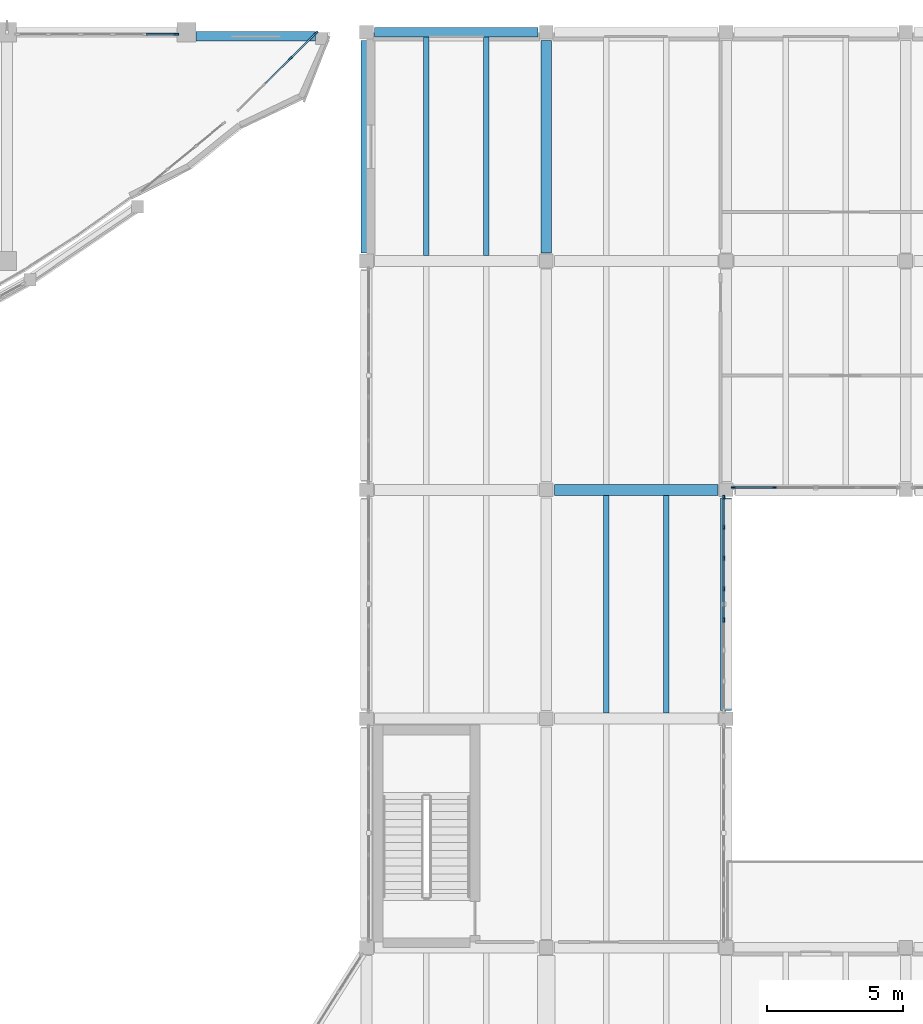
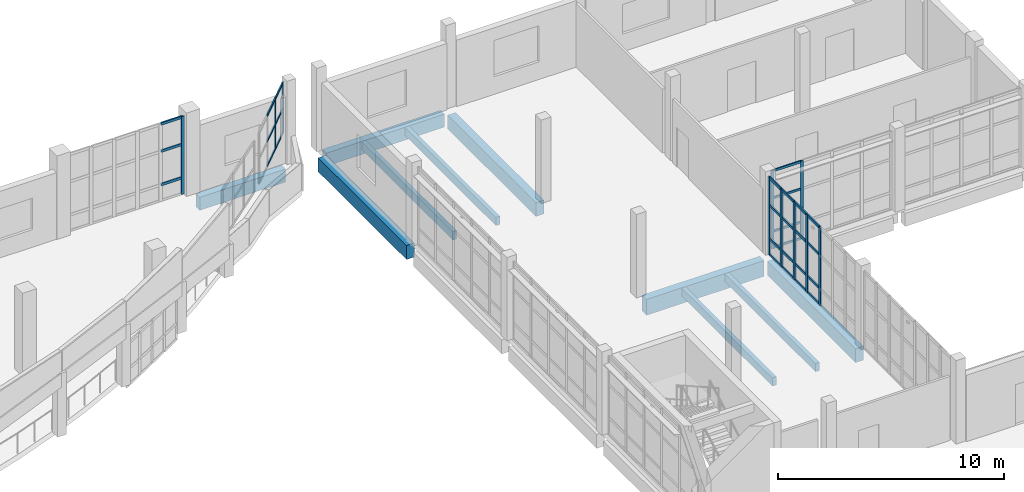
# One storey, part 33 of 83: 39 members, 10 beams, 4 elements without a shape of their own.
"""IFC4 building model written with IfcOpenShell, lengths in metres."""

from ifc_helpers import new_model, si_unit, direction, frame, origin, origin_2d, place, context, subcontext, project, spatial, rectangle, extrude, material, material_profile, profile_set, type_object, element, aggregate, save


model = new_model("IFC4")

# Units and contexts
model_context = context("Model", 3, precision=1e-05, world=origin(), true_north=direction((0.0, 1.0)))
body_context = subcontext(model_context, "Body", "Model", "MODEL_VIEW")
ifc_project = project(units=[si_unit("LENGTHUNIT", "METRE"), si_unit("AREAUNIT", "SQUARE_METRE"), si_unit("VOLUMEUNIT", "CUBIC_METRE"), si_unit("PLANEANGLEUNIT", "RADIAN"), si_unit("MASSUNIT", "GRAM", prefix="KILO")], contexts=[model_context])

# Site, building, storey
site_placement = place(None, origin())
site = spatial("IfcSite", under=ifc_project, at=site_placement, CompositionType="ELEMENT")
building_placement = place(site_placement, origin())
building = spatial("IfcBuilding", under=site, at=building_placement, Name="Qaldarim Faculty of Natural and Applied Sciences", CompositionType="ELEMENT")
storey_placement = place(building_placement, frame((0.0, 0.0, 5.39990234375)))
storey = spatial("IfcBuildingStorey", under=building, at=storey_placement, Name="L01", CompositionType="ELEMENT", Elevation=5.39990234375)

# Beams
ifc_material_1 = material(Name="Concrete C50/60", Category="concrete")
ifc_material_profile_1 = material_profile(ifc_material_1, rectangle(XDim=0.39990234375, YDim=0.75, at=origin_2d()), Name="RC-B400x750")
ifc_profile_set_1 = profile_set([ifc_material_profile_1], Name="Concrete C50/60")
beam_type_1 = type_object("IfcBeamType", Name="LabGirder-RC400x750", PredefinedType="BEAM", material=ifc_profile_set_1)
for number, where, z_axis, x_axis, name in (
    (1, (151.800048828125, 109.5, -0.6748046875), (0.0, 1.0, 0.0), (-1.0, 0.0, 0.0), "Beam RC-B400x750 L00 X24/Y14-Y15"),
    (2, (158.39990234375, 109.5, -0.6748046875), (0.0, 1.0, 0.0), (-1.0, 0.0, 0.0), "Beam RC-B400x750 L00 X25/Y14-Y15"),
    (3, (165.0, 92.699951171875, -0.6748046875), (0.0, 1.0, 0.0), (-1.0, 0.0, 0.0), "Beam RC-B400x750 L00 X26/Y12-Y13"),
):
    element("IfcBeam", number, at=place(storey_placement, frame(where, z_axis=z_axis, x_axis=x_axis)), inside=storey, type_object=beam_type_1, Name=name, PredefinedType="BEAM", context=body_context, shape_type="SweptSolid", body=[
        extrude(rectangle(XDim=0.39990234375, YDim=0.75, at=origin_2d()), origin(), (0.0, 0.0, 1.0), 7.800048828125),
    ])
ifc_material_2 = material(Name="Concrete C40/50", Category="concrete")
ifc_material_profile_2 = material_profile(ifc_material_2, rectangle(XDim=0.199951171875, YDim=0.449951171875, at=origin_2d()), Name="RC-J200x450")
ifc_profile_set_2 = profile_set([ifc_material_profile_2], Name="Concrete C40/50")
beam_type_2 = type_object("IfcBeamType", Name="LabJoist-RC200x450", PredefinedType="JOIST", material=ifc_profile_set_2)
for number, where, z_axis, x_axis, name in (
    (4, (154.0, 109.39990234375, -0.52490234375), (0.0, 1.0, 0.0), (-1.0, 0.0, 0.0), "Laboratory joist L00 bay X24Y14-1"),
    (5, (156.199951171875, 109.39990234375, -0.52490234375), (0.0, 1.0, 0.0), (-1.0, 0.0, 0.0), "Laboratory joist L00 bay X24Y14-2"),
):
    element("IfcBeam", number, at=place(storey_placement, frame(where, z_axis=z_axis, x_axis=x_axis)), inside=storey, type_object=beam_type_2, Name=name, PredefinedType="JOIST", context=body_context, shape_type="SweptSolid", body=[
        extrude(rectangle(XDim=0.199951171875, YDim=0.449951171875, at=origin_2d()), origin(), (0.0, 0.0, 1.0), 8.025146484375),
    ])
for number, where, z_axis, x_axis, name in (
    (6, (160.60009765625, 92.60009765625, -0.52490234375), (0.0, 1.0, 0.0), (-1.0, 0.0, 0.0), "Laboratory joist L00 bay X25Y12-1"),
    (7, (162.800048828125, 92.60009765625, -0.52490234375), (0.0, 1.0, 0.0), (-1.0, 0.0, 0.0), "Laboratory joist L00 bay X25Y12-2"),
):
    element("IfcBeam", number, at=place(storey_placement, frame(where, z_axis=z_axis, x_axis=x_axis)), inside=storey, type_object=beam_type_2, Name=name, PredefinedType="JOIST", context=body_context, shape_type="SweptSolid", body=[
        extrude(rectangle(XDim=0.199951171875, YDim=0.449951171875, at=origin_2d()), origin(), (0.0, 0.0, 1.0), 8.0),
    ])

# Curtain wall, members
ifc_material_3 = material(Name="Anodised aluminium AW-6063", Category="aluminium")
curtain_wall_type_1 = type_object("IfcCurtainWallType", Name="CurtainWallSystem-M1600", PredefinedType="USERDEFINED", material=ifc_material_3)
curtain_wall_1_placement = place(storey_placement, origin())
curtain_wall_1 = element("IfcCurtainWall", 8, at=curtain_wall_1_placement, inside=storey, type_object=curtain_wall_type_1, Name="Curtain wall CW-L01-S-X26Y13", ObjectType="UNITISED FACADE", PredefinedType="USERDEFINED")
ifc_material_profile_3 = material_profile(ifc_material_3, rectangle(XDim=0.06005859375, YDim=0.14990234375, at=origin_2d()), Name="ALU-M60x150")
ifc_profile_set_3 = profile_set([ifc_material_profile_3], Name="Anodised aluminium AW-6063")
member_type_1 = type_object("IfcMemberType", Name="Mullion-ALU60x150", PredefinedType="MULLION", material=ifc_profile_set_3)
member_1_placement = place(storey_placement, frame((165.27490234375, 100.8798828125, 0.0), z_axis=(0.0, 0.0, 1.0), x_axis=(0.0, 1.0, 0.0)))
member_1 = element("IfcMember", 9, at=member_1_placement, type_object=member_type_1, Name="Mullion 1 of CW-L01-S-X26Y13", PredefinedType="MULLION", context=body_context, shape_type="SweptSolid", body=[
    extrude(rectangle(XDim=0.06005859375, YDim=0.14990234375, at=origin_2d()), origin(), (0.0, 0.0, 1.0), 4.2001953125),
])
member_2_placement = place(storey_placement, frame((166.7724609375, 100.8798828125, 0.0), z_axis=(0.0, 0.0, 1.0), x_axis=(0.0, 1.0, 0.0)))
member_2 = element("IfcMember", 10, at=member_2_placement, type_object=member_type_1, Name="Mullion 2 of CW-L01-S-X26Y13", PredefinedType="MULLION", context=body_context, shape_type="SweptSolid", body=[
    extrude(rectangle(XDim=0.06005859375, YDim=0.14990234375, at=origin_2d()), origin(), (0.0, 0.0, 1.0), 4.2001953125),
])

curtain_wall_type_2 = type_object("IfcCurtainWallType", Name="CurtainWallSystem-M1400", PredefinedType="USERDEFINED", material=ifc_material_3)
curtain_wall_2_placement = place(storey_placement, origin())
curtain_wall_2 = element("IfcCurtainWall", 11, at=curtain_wall_2_placement, inside=storey, type_object=curtain_wall_type_2, Name="Curtain wall CW-V4ARC-L01-16", ObjectType="STICK CURTAIN WALL", PredefinedType="USERDEFINED")
member_3_placement = place(storey_placement, frame((149.01171875, 116.639892578125, 1.4501953125), z_axis=(0.0, 0.0, 1.0), x_axis=(-0.704014724456, 0.710185375623, 0.0)))
member_3 = element("IfcMember", 12, at=member_3_placement, type_object=member_type_1, Name="Mullion 3 of CW-V4ARC-L01-16", PredefinedType="MULLION", context=body_context, shape_type="SweptSolid", body=[
    extrude(rectangle(XDim=0.06005859375, YDim=0.14990234375, at=origin_2d()), origin(), (0.0, 0.0, 1.0), 2.75),
])
member_4_placement = place(storey_placement, frame((149.94873046875, 117.56884765625, 1.4501953125), z_axis=(0.0, 0.0, 1.0), x_axis=(-0.704014724456, 0.710185375623, 0.0)))
member_4 = element("IfcMember", 13, at=member_4_placement, type_object=member_type_1, Name="Mullion 4 of CW-V4ARC-L01-16", PredefinedType="MULLION", context=body_context, shape_type="SweptSolid", body=[
    extrude(rectangle(XDim=0.06005859375, YDim=0.14990234375, at=origin_2d()), origin(), (0.0, 0.0, 1.0), 2.75),
])

# Curtain wall, member
curtain_wall_type_3 = type_object("IfcCurtainWallType", Name="CurtainWallSystem-M1200", PredefinedType="USERDEFINED", material=ifc_material_3)
curtain_wall_3_placement = place(storey_placement, origin())
curtain_wall_3 = element("IfcCurtainWall", 14, at=curtain_wall_3_placement, inside=storey, type_object=curtain_wall_type_3, Name="Curtain wall CW-L01-N-X22Y14", ObjectType="STICK CURTAIN WALL", PredefinedType="USERDEFINED")
ifc_material_profile_4 = material_profile(ifc_material_3, rectangle(XDim=0.070068359375, YDim=0.179931640625, at=origin_2d()), Name="ALU-M70x180")
ifc_profile_set_4 = profile_set([ifc_material_profile_4], Name="Anodised aluminium AW-6063")
member_type_2 = type_object("IfcMemberType", Name="Mullion-ALU70x180", PredefinedType="MULLION", material=ifc_profile_set_4)
member_5_placement = place(storey_placement, frame((144.820068359375, 117.52001953125, 0.0), z_axis=(0.0, 0.0, 1.0), x_axis=(0.0, -1.0, 0.0)))
member_5 = element("IfcMember", 15, at=member_5_placement, type_object=member_type_2, Name="Mullion 1 of CW-L01-N-X22Y14", PredefinedType="MULLION", context=body_context, shape_type="SweptSolid", body=[
    extrude(rectangle(XDim=0.070068359375, YDim=0.179931640625, at=origin_2d()), origin(), (0.0, 0.0, 1.0), 4.2001953125),
])

# Curtain wall, members
curtain_wall_4_placement = place(storey_placement, origin())
curtain_wall_4 = element("IfcCurtainWall", 16, at=curtain_wall_4_placement, inside=storey, type_object=curtain_wall_type_3, Name="Curtain wall CW-L01-E-X25Y12", ObjectType="STICK CURTAIN WALL", PredefinedType="USERDEFINED")
member_6_placement = place(storey_placement, frame((164.919921875, 96.034912109375, 0.0), z_axis=(0.0, 0.0, 1.0), x_axis=(-1.0, 0.0, 0.0)))
member_6 = element("IfcMember", 17, at=member_6_placement, type_object=member_type_2, Name="Mullion 4 of CW-L01-E-X25Y12", PredefinedType="MULLION", context=body_context, shape_type="SweptSolid", body=[
    extrude(rectangle(XDim=0.070068359375, YDim=0.179931640625, at=origin_2d()), origin(), (0.0, 0.0, 1.0), 4.2001953125),
])
member_7_placement = place(storey_placement, frame((164.919921875, 97.1650390625, 0.0), z_axis=(0.0, 0.0, 1.0), x_axis=(-1.0, 0.0, 0.0)))
member_7 = element("IfcMember", 18, at=member_7_placement, type_object=member_type_2, Name="Mullion 5 of CW-L01-E-X25Y12", PredefinedType="MULLION", context=body_context, shape_type="SweptSolid", body=[
    extrude(rectangle(XDim=0.070068359375, YDim=0.179931640625, at=origin_2d()), origin(), (0.0, 0.0, 1.0), 4.2001953125),
])
member_8_placement = place(storey_placement, frame((164.919921875, 98.294921875, 0.0), z_axis=(0.0, 0.0, 1.0), x_axis=(-1.0, 0.0, 0.0)))
member_8 = element("IfcMember", 19, at=member_8_placement, type_object=member_type_2, Name="Mullion 6 of CW-L01-E-X25Y12", PredefinedType="MULLION", context=body_context, shape_type="SweptSolid", body=[
    extrude(rectangle(XDim=0.070068359375, YDim=0.179931640625, at=origin_2d()), origin(), (0.0, 0.0, 1.0), 4.2001953125),
])
member_9_placement = place(storey_placement, frame((164.919921875, 99.425048828125, 0.0), z_axis=(0.0, 0.0, 1.0), x_axis=(-1.0, 0.0, 0.0)))
member_9 = element("IfcMember", 20, at=member_9_placement, type_object=member_type_2, Name="Mullion 7 of CW-L01-E-X25Y12", PredefinedType="MULLION", context=body_context, shape_type="SweptSolid", body=[
    extrude(rectangle(XDim=0.070068359375, YDim=0.179931640625, at=origin_2d()), origin(), (0.0, 0.0, 1.0), 4.2001953125),
])
member_10_placement = place(storey_placement, frame((164.919921875, 100.52001953125, 0.0), z_axis=(0.0, 0.0, 1.0), x_axis=(-1.0, 0.0, 0.0)))
member_10 = element("IfcMember", 21, at=member_10_placement, type_object=member_type_2, Name="Mullion 8 of CW-L01-E-X25Y12", PredefinedType="MULLION", context=body_context, shape_type="SweptSolid", body=[
    extrude(rectangle(XDim=0.070068359375, YDim=0.179931640625, at=origin_2d()), origin(), (0.0, 0.0, 1.0), 4.2001953125),
])

# Beams
ifc_material_profile_5 = material_profile(ifc_material_1, rectangle(XDim=0.39990234375, YDim=0.85009765625, at=origin_2d()), Name="RC-B400x850")
ifc_profile_set_5 = profile_set([ifc_material_profile_5], Name="Concrete C50/60")
beam_type_3 = type_object("IfcBeamType", Name="PodiumGirder-RC400x850", PredefinedType="BEAM", material=ifc_profile_set_5)
beam_1_placement = place(storey_placement, frame((158.699951171875, 100.800048828125, -0.724853515625), z_axis=(1.0, 0.0, 0.0), x_axis=(0.0, 1.0, 0.0)))
element("IfcBeam", 22, at=beam_1_placement, inside=storey, type_object=beam_type_3, Name="Beam RC-B400x850 L00 X25-X26/Y13", PredefinedType="BEAM", context=body_context, shape_type="SweptSolid", body=[
    extrude(rectangle(XDim=0.39990234375, YDim=0.85009765625, at=origin_2d()), origin(), (0.0, 0.0, 1.0), 6.0),
])
ifc_material_profile_6 = material_profile(ifc_material_2, rectangle(XDim=0.35009765625, YDim=0.699951171875, at=origin_2d()), Name="RC-B350x700")
ifc_profile_set_6 = profile_set([ifc_material_profile_6], Name="Concrete C40/50")
beam_type_4 = type_object("IfcBeamType", Name="PrimaryGirder-RC350x700", PredefinedType="BEAM", material=ifc_profile_set_6)
beam_2_placement = place(storey_placement, frame((152.10009765625, 117.60009765625, -0.64990234375), z_axis=(1.0, 0.0, 0.0), x_axis=(0.0, 1.0, 0.0)))
element("IfcBeam", 23, at=beam_2_placement, inside=storey, type_object=beam_type_4, Name="Beam RC-B350x700 L00 X24-X25/Y15", PredefinedType="BEAM", context=body_context, shape_type="SweptSolid", body=[
    extrude(rectangle(XDim=0.35009765625, YDim=0.699951171875, at=origin_2d()), origin(), (0.0, 0.0, 1.0), 6.0),
])
beam_3_placement = place(storey_placement, frame((145.550048828125, 117.449951171875, -0.64990234375), z_axis=(1.0, 0.0, 0.0), x_axis=(0.0, 1.0, 0.0)))
element("IfcBeam", 24, at=beam_3_placement, inside=storey, type_object=beam_type_4, Name="Laboratories NE corner perimeter beam L00", PredefinedType="BEAM", context=body_context, shape_type="SweptSolid", body=[
    extrude(rectangle(XDim=0.35009765625, YDim=0.699951171875, at=origin_2d()), origin(), (0.0, 0.0, 1.0), 4.375),
])

# Member
ifc_material_profile_7 = material_profile(ifc_material_3, rectangle(XDim=0.06005859375, YDim=0.1201171875, at=origin_2d()), Name="ALU-T60x120")
ifc_profile_set_7 = profile_set([ifc_material_profile_7], Name="Anodised aluminium AW-6063")
member_type_3 = type_object("IfcMemberType", Name="Transom-ALU60x120", PredefinedType="USERDEFINED", material=ifc_profile_set_7)
member_11_placement = place(storey_placement, frame((165.304931640625, 100.8798828125, 0.030029296875), z_axis=(1.0, 0.0, 0.0), x_axis=(0.0, 1.0, 0.0)))
member_11 = element("IfcMember", 25, at=member_11_placement, type_object=member_type_3, Name="Transom 1-1 of CW-L01-S-X26Y13", ObjectType="TRANSOM", PredefinedType="USERDEFINED", context=body_context, shape_type="SweptSolid", body=[
    extrude(rectangle(XDim=0.06005859375, YDim=0.1201171875, at=origin_2d()), origin(), (0.0, 0.0, 1.0), 1.4375),
])

member_12_placement = place(storey_placement, frame((165.304931640625, 100.8798828125, 0.900146484375), z_axis=(1.0, 0.0, 0.0), x_axis=(0.0, 1.0, 0.0)))
member_12 = element("IfcMember", 26, at=member_12_placement, type_object=member_type_3, Name="Transom 1-2 of CW-L01-S-X26Y13", ObjectType="TRANSOM", PredefinedType="USERDEFINED", context=body_context, shape_type="SweptSolid", body=[
    extrude(rectangle(XDim=0.06005859375, YDim=0.1201171875, at=origin_2d()), origin(), (0.0, 0.0, 1.0), 1.4375),
])

member_13_placement = place(storey_placement, frame((165.304931640625, 100.8798828125, 2.7001953125), z_axis=(1.0, 0.0, 0.0), x_axis=(0.0, 1.0, 0.0)))
member_13 = element("IfcMember", 27, at=member_13_placement, type_object=member_type_3, Name="Transom 1-3 of CW-L01-S-X26Y13", ObjectType="TRANSOM", PredefinedType="USERDEFINED", context=body_context, shape_type="SweptSolid", body=[
    extrude(rectangle(XDim=0.06005859375, YDim=0.1201171875, at=origin_2d()), origin(), (0.0, 0.0, 1.0), 1.4375),
])

member_14_placement = place(storey_placement, frame((165.304931640625, 100.8798828125, 4.170166015625), z_axis=(1.0, 0.0, 0.0), x_axis=(0.0, 1.0, 0.0)))
member_14 = element("IfcMember", 28, at=member_14_placement, type_object=member_type_3, Name="Transom 1-4 of CW-L01-S-X26Y13", ObjectType="TRANSOM", PredefinedType="USERDEFINED", context=body_context, shape_type="SweptSolid", body=[
    extrude(rectangle(XDim=0.06005859375, YDim=0.1201171875, at=origin_2d()), origin(), (0.0, 0.0, 1.0), 1.4375),
])

aggregate(curtain_wall_1, [member_1, member_2, member_11, member_12, member_13, member_14])

member_15_placement = place(storey_placement, frame((148.07470703125, 115.711181640625, 1.47998046875), z_axis=(0.710224032192, 0.703975726923, 0.0), x_axis=(-0.703975726923, 0.710224032192, 0.0)))
member_15 = element("IfcMember", 29, at=member_15_placement, type_object=member_type_3, Name="Transom 2-1 of CW-V4ARC-L01-16", ObjectType="TRANSOM", PredefinedType="USERDEFINED", context=body_context, shape_type="SweptSolid", body=[
    extrude(rectangle(XDim=0.06005859375, YDim=0.1201171875, at=origin_2d()), origin(), (0.0, 0.0, 1.0), 1.289306640625),
])

member_16_placement = place(storey_placement, frame((148.07470703125, 115.711181640625, 2.800048828125), z_axis=(0.710224032192, 0.703975726923, 0.0), x_axis=(-0.703975726923, 0.710224032192, 0.0)))
member_16 = element("IfcMember", 30, at=member_16_placement, type_object=member_type_3, Name="Transom 2-2 of CW-V4ARC-L01-16", ObjectType="TRANSOM", PredefinedType="USERDEFINED", context=body_context, shape_type="SweptSolid", body=[
    extrude(rectangle(XDim=0.06005859375, YDim=0.1201171875, at=origin_2d()), origin(), (0.0, 0.0, 1.0), 1.289306640625),
])

member_17_placement = place(storey_placement, frame((148.07470703125, 115.711181640625, 4.170166015625), z_axis=(0.710224032192, 0.703975726923, 0.0), x_axis=(-0.703975726923, 0.710224032192, 0.0)))
member_17 = element("IfcMember", 31, at=member_17_placement, type_object=member_type_3, Name="Transom 2-3 of CW-V4ARC-L01-16", ObjectType="TRANSOM", PredefinedType="USERDEFINED", context=body_context, shape_type="SweptSolid", body=[
    extrude(rectangle(XDim=0.06005859375, YDim=0.1201171875, at=origin_2d()), origin(), (0.0, 0.0, 1.0), 1.289306640625),
])

member_18_placement = place(storey_placement, frame((149.032958984375, 116.6611328125, 1.47998046875), z_axis=(0.71020129579, 0.703998664386, 0.0), x_axis=(-0.703998664386, 0.71020129579, 0.0)))
member_18 = element("IfcMember", 32, at=member_18_placement, type_object=member_type_3, Name="Transom 3-1 of CW-V4ARC-L01-16", ObjectType="TRANSOM", PredefinedType="USERDEFINED", context=body_context, shape_type="SweptSolid", body=[
    extrude(rectangle(XDim=0.06005859375, YDim=0.1201171875, at=origin_2d()), origin(), (0.0, 0.0, 1.0), 1.259521484375),
])

member_19_placement = place(storey_placement, frame((149.032958984375, 116.6611328125, 2.800048828125), z_axis=(0.71020129579, 0.703998664386, 0.0), x_axis=(-0.703998664386, 0.71020129579, 0.0)))
member_19 = element("IfcMember", 33, at=member_19_placement, type_object=member_type_3, Name="Transom 3-2 of CW-V4ARC-L01-16", ObjectType="TRANSOM", PredefinedType="USERDEFINED", context=body_context, shape_type="SweptSolid", body=[
    extrude(rectangle(XDim=0.06005859375, YDim=0.1201171875, at=origin_2d()), origin(), (0.0, 0.0, 1.0), 1.259521484375),
])

member_20_placement = place(storey_placement, frame((149.032958984375, 116.6611328125, 4.170166015625), z_axis=(0.71020129579, 0.703998664386, 0.0), x_axis=(-0.703998664386, 0.71020129579, 0.0)))
member_20 = element("IfcMember", 34, at=member_20_placement, type_object=member_type_3, Name="Transom 3-3 of CW-V4ARC-L01-16", ObjectType="TRANSOM", PredefinedType="USERDEFINED", context=body_context, shape_type="SweptSolid", body=[
    extrude(rectangle(XDim=0.06005859375, YDim=0.1201171875, at=origin_2d()), origin(), (0.0, 0.0, 1.0), 1.259521484375),
])

aggregate(curtain_wall_2, [member_3, member_4, member_15, member_16, member_17, member_18, member_19, member_20])

ifc_material_profile_8 = material_profile(ifc_material_3, rectangle(XDim=0.070068359375, YDim=0.139892578125, at=origin_2d()), Name="ALU-T70x140")
ifc_profile_set_8 = profile_set([ifc_material_profile_8], Name="Anodised aluminium AW-6063")
member_type_4 = type_object("IfcMemberType", Name="Transom-ALU70x140", PredefinedType="USERDEFINED", material=ifc_profile_set_8)
member_21_placement = place(storey_placement, frame((144.784912109375, 117.52001953125, 0.900146484375), z_axis=(-1.0, 0.0, 0.0), x_axis=(0.0, -1.0, 0.0)))
member_21 = element("IfcMember", 35, at=member_21_placement, type_object=member_type_4, Name="Transom 1-2 of CW-L01-N-X22Y14", ObjectType="TRANSOM", PredefinedType="USERDEFINED", context=body_context, shape_type="SweptSolid", body=[
    extrude(rectangle(XDim=0.070068359375, YDim=0.139892578125, at=origin_2d()), origin(), (0.0, 0.0, 1.0), 1.076904296875),
])

member_22_placement = place(storey_placement, frame((144.784912109375, 117.52001953125, 2.7001953125), z_axis=(-1.0, 0.0, 0.0), x_axis=(0.0, -1.0, 0.0)))
member_22 = element("IfcMember", 36, at=member_22_placement, type_object=member_type_4, Name="Transom 1-3 of CW-L01-N-X22Y14", ObjectType="TRANSOM", PredefinedType="USERDEFINED", context=body_context, shape_type="SweptSolid", body=[
    extrude(rectangle(XDim=0.070068359375, YDim=0.139892578125, at=origin_2d()), origin(), (0.0, 0.0, 1.0), 1.076904296875),
])

member_23_placement = place(storey_placement, frame((144.784912109375, 117.52001953125, 4.1650390625), z_axis=(-1.0, 0.0, 0.0), x_axis=(0.0, -1.0, 0.0)))
member_23 = element("IfcMember", 37, at=member_23_placement, type_object=member_type_4, Name="Transom 1-4 of CW-L01-N-X22Y14", ObjectType="TRANSOM", PredefinedType="USERDEFINED", context=body_context, shape_type="SweptSolid", body=[
    extrude(rectangle(XDim=0.070068359375, YDim=0.139892578125, at=origin_2d()), origin(), (0.0, 0.0, 1.0), 1.076904296875),
])

aggregate(curtain_wall_3, [member_5, member_21, member_22, member_23])

member_24_placement = place(storey_placement, frame((164.919921875, 96.070068359375, 0.03515625), z_axis=(0.0, 1.0, 0.0), x_axis=(-1.0, 0.0, 0.0)))
member_24 = element("IfcMember", 38, at=member_24_placement, type_object=member_type_4, Name="Transom 4-1 of CW-L01-E-X25Y12", ObjectType="TRANSOM", PredefinedType="USERDEFINED", context=body_context, shape_type="SweptSolid", body=[
    extrude(rectangle(XDim=0.070068359375, YDim=0.139892578125, at=origin_2d()), origin(), (0.0, 0.0, 1.0), 1.059814453125),
])

member_25_placement = place(storey_placement, frame((164.919921875, 96.070068359375, 0.900146484375), z_axis=(0.0, 1.0, 0.0), x_axis=(-1.0, 0.0, 0.0)))
member_25 = element("IfcMember", 39, at=member_25_placement, type_object=member_type_4, Name="Transom 4-2 of CW-L01-E-X25Y12", ObjectType="TRANSOM", PredefinedType="USERDEFINED", context=body_context, shape_type="SweptSolid", body=[
    extrude(rectangle(XDim=0.070068359375, YDim=0.139892578125, at=origin_2d()), origin(), (0.0, 0.0, 1.0), 1.059814453125),
])

member_26_placement = place(storey_placement, frame((164.919921875, 96.070068359375, 2.7001953125), z_axis=(0.0, 1.0, 0.0), x_axis=(-1.0, 0.0, 0.0)))
member_26 = element("IfcMember", 40, at=member_26_placement, type_object=member_type_4, Name="Transom 4-3 of CW-L01-E-X25Y12", ObjectType="TRANSOM", PredefinedType="USERDEFINED", context=body_context, shape_type="SweptSolid", body=[
    extrude(rectangle(XDim=0.070068359375, YDim=0.139892578125, at=origin_2d()), origin(), (0.0, 0.0, 1.0), 1.059814453125),
])

member_27_placement = place(storey_placement, frame((164.919921875, 96.070068359375, 4.1650390625), z_axis=(0.0, 1.0, 0.0), x_axis=(-1.0, 0.0, 0.0)))
member_27 = element("IfcMember", 41, at=member_27_placement, type_object=member_type_4, Name="Transom 4-4 of CW-L01-E-X25Y12", ObjectType="TRANSOM", PredefinedType="USERDEFINED", context=body_context, shape_type="SweptSolid", body=[
    extrude(rectangle(XDim=0.070068359375, YDim=0.139892578125, at=origin_2d()), origin(), (0.0, 0.0, 1.0), 1.059814453125),
])

member_28_placement = place(storey_placement, frame((164.919921875, 97.199951171875, 0.03515625), z_axis=(0.0, 1.0, 0.0), x_axis=(-1.0, 0.0, 0.0)))
member_28 = element("IfcMember", 42, at=member_28_placement, type_object=member_type_4, Name="Transom 5-1 of CW-L01-E-X25Y12", ObjectType="TRANSOM", PredefinedType="USERDEFINED", context=body_context, shape_type="SweptSolid", body=[
    extrude(rectangle(XDim=0.070068359375, YDim=0.139892578125, at=origin_2d()), origin(), (0.0, 0.0, 1.0), 1.06005859375),
])

member_29_placement = place(storey_placement, frame((164.919921875, 97.199951171875, 0.900146484375), z_axis=(0.0, 1.0, 0.0), x_axis=(-1.0, 0.0, 0.0)))
member_29 = element("IfcMember", 43, at=member_29_placement, type_object=member_type_4, Name="Transom 5-2 of CW-L01-E-X25Y12", ObjectType="TRANSOM", PredefinedType="USERDEFINED", context=body_context, shape_type="SweptSolid", body=[
    extrude(rectangle(XDim=0.070068359375, YDim=0.139892578125, at=origin_2d()), origin(), (0.0, 0.0, 1.0), 1.06005859375),
])

member_30_placement = place(storey_placement, frame((164.919921875, 97.199951171875, 2.7001953125), z_axis=(0.0, 1.0, 0.0), x_axis=(-1.0, 0.0, 0.0)))
member_30 = element("IfcMember", 44, at=member_30_placement, type_object=member_type_4, Name="Transom 5-3 of CW-L01-E-X25Y12", ObjectType="TRANSOM", PredefinedType="USERDEFINED", context=body_context, shape_type="SweptSolid", body=[
    extrude(rectangle(XDim=0.070068359375, YDim=0.139892578125, at=origin_2d()), origin(), (0.0, 0.0, 1.0), 1.06005859375),
])

member_31_placement = place(storey_placement, frame((164.919921875, 97.199951171875, 4.1650390625), z_axis=(0.0, 1.0, 0.0), x_axis=(-1.0, 0.0, 0.0)))
member_31 = element("IfcMember", 45, at=member_31_placement, type_object=member_type_4, Name="Transom 5-4 of CW-L01-E-X25Y12", ObjectType="TRANSOM", PredefinedType="USERDEFINED", context=body_context, shape_type="SweptSolid", body=[
    extrude(rectangle(XDim=0.070068359375, YDim=0.139892578125, at=origin_2d()), origin(), (0.0, 0.0, 1.0), 1.06005859375),
])

member_32_placement = place(storey_placement, frame((164.919921875, 98.330078125, 0.03515625), z_axis=(0.0, 1.0, 0.0), x_axis=(-1.0, 0.0, 0.0)))
member_32 = element("IfcMember", 46, at=member_32_placement, type_object=member_type_4, Name="Transom 6-1 of CW-L01-E-X25Y12", ObjectType="TRANSOM", PredefinedType="USERDEFINED", context=body_context, shape_type="SweptSolid", body=[
    extrude(rectangle(XDim=0.070068359375, YDim=0.139892578125, at=origin_2d()), origin(), (0.0, 0.0, 1.0), 1.059814453125),
])

member_33_placement = place(storey_placement, frame((164.919921875, 98.330078125, 0.900146484375), z_axis=(0.0, 1.0, 0.0), x_axis=(-1.0, 0.0, 0.0)))
member_33 = element("IfcMember", 47, at=member_33_placement, type_object=member_type_4, Name="Transom 6-2 of CW-L01-E-X25Y12", ObjectType="TRANSOM", PredefinedType="USERDEFINED", context=body_context, shape_type="SweptSolid", body=[
    extrude(rectangle(XDim=0.070068359375, YDim=0.139892578125, at=origin_2d()), origin(), (0.0, 0.0, 1.0), 1.059814453125),
])

member_34_placement = place(storey_placement, frame((164.919921875, 98.330078125, 2.7001953125), z_axis=(0.0, 1.0, 0.0), x_axis=(-1.0, 0.0, 0.0)))
member_34 = element("IfcMember", 48, at=member_34_placement, type_object=member_type_4, Name="Transom 6-3 of CW-L01-E-X25Y12", ObjectType="TRANSOM", PredefinedType="USERDEFINED", context=body_context, shape_type="SweptSolid", body=[
    extrude(rectangle(XDim=0.070068359375, YDim=0.139892578125, at=origin_2d()), origin(), (0.0, 0.0, 1.0), 1.059814453125),
])

member_35_placement = place(storey_placement, frame((164.919921875, 98.330078125, 4.1650390625), z_axis=(0.0, 1.0, 0.0), x_axis=(-1.0, 0.0, 0.0)))
member_35 = element("IfcMember", 49, at=member_35_placement, type_object=member_type_4, Name="Transom 6-4 of CW-L01-E-X25Y12", ObjectType="TRANSOM", PredefinedType="USERDEFINED", context=body_context, shape_type="SweptSolid", body=[
    extrude(rectangle(XDim=0.070068359375, YDim=0.139892578125, at=origin_2d()), origin(), (0.0, 0.0, 1.0), 1.059814453125),
])

member_36_placement = place(storey_placement, frame((164.919921875, 99.4599609375, 0.03515625), z_axis=(0.0, 1.0, 0.0), x_axis=(-1.0, 0.0, 0.0)))
member_36 = element("IfcMember", 50, at=member_36_placement, type_object=member_type_4, Name="Transom 7-1 of CW-L01-E-X25Y12", ObjectType="TRANSOM", PredefinedType="USERDEFINED", context=body_context, shape_type="SweptSolid", body=[
    extrude(rectangle(XDim=0.070068359375, YDim=0.139892578125, at=origin_2d()), origin(), (0.0, 0.0, 1.0), 1.025146484375),
])

member_37_placement = place(storey_placement, frame((164.919921875, 99.4599609375, 0.900146484375), z_axis=(0.0, 1.0, 0.0), x_axis=(-1.0, 0.0, 0.0)))
member_37 = element("IfcMember", 51, at=member_37_placement, type_object=member_type_4, Name="Transom 7-2 of CW-L01-E-X25Y12", ObjectType="TRANSOM", PredefinedType="USERDEFINED", context=body_context, shape_type="SweptSolid", body=[
    extrude(rectangle(XDim=0.070068359375, YDim=0.139892578125, at=origin_2d()), origin(), (0.0, 0.0, 1.0), 1.025146484375),
])

member_38_placement = place(storey_placement, frame((164.919921875, 99.4599609375, 2.7001953125), z_axis=(0.0, 1.0, 0.0), x_axis=(-1.0, 0.0, 0.0)))
member_38 = element("IfcMember", 52, at=member_38_placement, type_object=member_type_4, Name="Transom 7-3 of CW-L01-E-X25Y12", ObjectType="TRANSOM", PredefinedType="USERDEFINED", context=body_context, shape_type="SweptSolid", body=[
    extrude(rectangle(XDim=0.070068359375, YDim=0.139892578125, at=origin_2d()), origin(), (0.0, 0.0, 1.0), 1.025146484375),
])

member_39_placement = place(storey_placement, frame((164.919921875, 99.4599609375, 4.1650390625), z_axis=(0.0, 1.0, 0.0), x_axis=(-1.0, 0.0, 0.0)))
member_39 = element("IfcMember", 53, at=member_39_placement, type_object=member_type_4, Name="Transom 7-4 of CW-L01-E-X25Y12", ObjectType="TRANSOM", PredefinedType="USERDEFINED", context=body_context, shape_type="SweptSolid", body=[
    extrude(rectangle(XDim=0.070068359375, YDim=0.139892578125, at=origin_2d()), origin(), (0.0, 0.0, 1.0), 1.025146484375),
])

aggregate(curtain_wall_4, [member_6, member_7, member_8, member_9, member_10, member_24, member_25, member_26, member_27, member_28, member_29, member_30, member_31, member_32, member_33, member_34, member_35, member_36, member_37, member_38, member_39])

save(model, "model.ifc")
